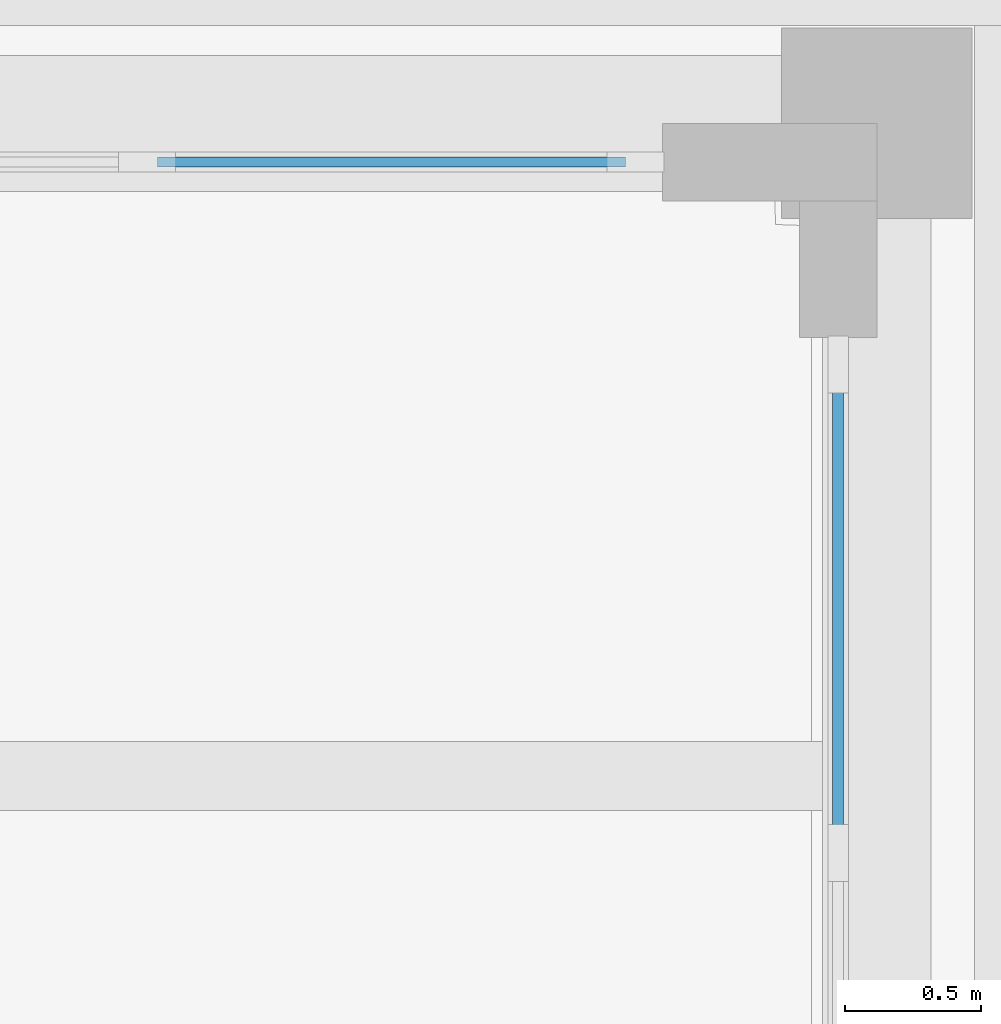
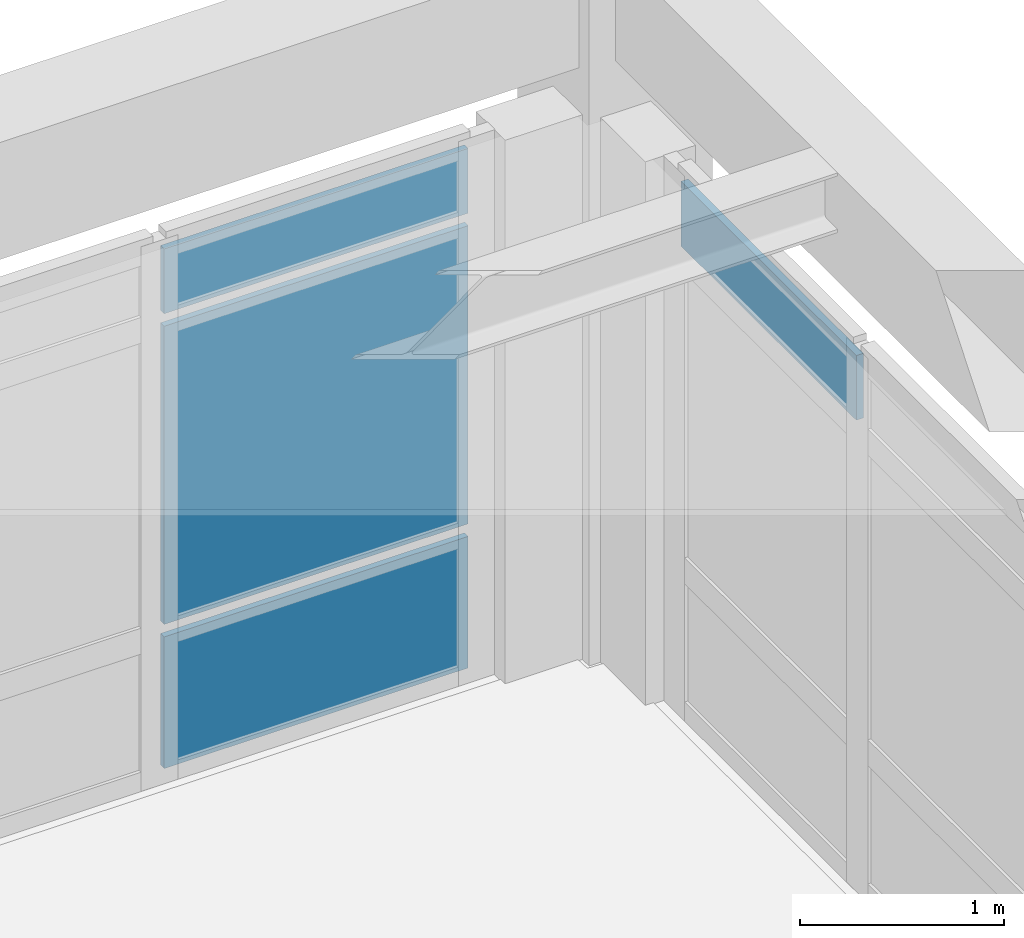
# One storey, part 45 of 64: 4 plates, 2 elements without a shape of their own.
"""IFC4 building model written with IfcOpenShell, lengths in metres."""

from ifc_helpers import new_model, si_unit, direction, frame, origin, origin_2d, place, context, subcontext, project, spatial, rectangle, extrude, material, layer, layer_set, type_object, element, aggregate, save


model = new_model("IFC4")

# Units and contexts
model_context = context("Model", 3, precision=1e-05, world=origin(), true_north=direction((0.0, 1.0)))
body_context = subcontext(model_context, "Body", "Model", "MODEL_VIEW")
ifc_project = project(units=[si_unit("LENGTHUNIT", "METRE"), si_unit("AREAUNIT", "SQUARE_METRE"), si_unit("VOLUMEUNIT", "CUBIC_METRE"), si_unit("PLANEANGLEUNIT", "RADIAN"), si_unit("MASSUNIT", "GRAM", prefix="KILO")], contexts=[model_context])

# Site, building, storey
site_placement = place(None, origin())
site = spatial("IfcSite", under=ifc_project, at=site_placement, CompositionType="ELEMENT")
building_placement = place(site_placement, origin())
building = spatial("IfcBuilding", under=site, at=building_placement, Name="Solenvale Faculty of Natural Sciences", CompositionType="ELEMENT")
storey_placement = place(building_placement, frame((0.0, 0.0, 18.0)))
storey = spatial("IfcBuildingStorey", under=building, at=storey_placement, Name="L04", CompositionType="ELEMENT", Elevation=18.0)

# Curtain wall, plates
ifc_material_1 = material(Name="Anodised bronze aluminium", Category="aluminium")
ifc_layer_1 = layer(ifc_material_1, 0.179931640625)
ifc_layer_set_1 = layer_set([ifc_layer_1], Name="Anodised bronze aluminium")
curtain_wall_type = type_object("IfcCurtainWallType", Name="CW-TWR-MOD", PredefinedType="USERDEFINED", material=ifc_layer_set_1)
curtain_wall_1_placement = place(storey_placement, origin())
curtain_wall_1 = element("IfcCurtainWall", 1, at=curtain_wall_1_placement, inside=storey, type_object=curtain_wall_type, Name="L04 Curtain Wall CW-L04-P3-E4-B1", ObjectType="UNITISED CURTAIN WALL", PredefinedType="USERDEFINED")
ifc_material_2 = material(Name="Triple low-E insulated glass", Category="glass")
ifc_layer_2 = layer(ifc_material_2, 0.035888671875)
ifc_layer_set_2 = layer_set([ifc_layer_2], Name="Triple low-E insulated glass")
plate_type_1 = type_object("IfcPlateType", Name="CWP-PNL-36", PredefinedType="CURTAIN_PANEL", material=ifc_layer_set_2)
plate_1_placement = place(storey_placement, frame((149.41455078125, 115.0576171875, 0.074951171875), z_axis=(0.0, 0.0, 1.0), x_axis=(-1.0, 0.0, 0.0)))
plate_1 = element("IfcPlate", 2, at=plate_1_placement, type_object=plate_type_1, Name="CW-04 panel 1.1", PredefinedType="CURTAIN_PANEL", context=body_context, shape_type="SweptSolid", body=[
    extrude(rectangle(XDim=1.720947265625, YDim=0.035888671875, at=origin_2d()), origin(), (0.0, 0.0, 1.0), 0.78759765625),
])
plate_2_placement = place(storey_placement, frame((149.41455078125, 115.0576171875, 0.9375), z_axis=(0.0, 0.0, 1.0), x_axis=(-1.0, 0.0, 0.0)))
plate_2 = element("IfcPlate", 3, at=plate_2_placement, type_object=plate_type_1, Name="CW-04 panel 1.2", PredefinedType="CURTAIN_PANEL", context=body_context, shape_type="SweptSolid", body=[
    extrude(rectangle(XDim=1.720947265625, YDim=0.035888671875, at=origin_2d()), origin(), (0.0, 0.0, 1.0), 1.784912109375),
])
plate_3_placement = place(storey_placement, frame((149.41455078125, 115.0576171875, 2.79736328125), z_axis=(0.0, 0.0, 1.0), x_axis=(-1.0, 0.0, 0.0)))
plate_3 = element("IfcPlate", 4, at=plate_3_placement, type_object=plate_type_1, Name="CW-04 panel 1.3", PredefinedType="CURTAIN_PANEL", context=body_context, shape_type="SweptSolid", body=[
    extrude(rectangle(XDim=1.720947265625, YDim=0.035888671875, at=origin_2d()), origin(), (0.0, 0.0, 1.0), 0.387451171875),
])
aggregate(curtain_wall_1, [plate_1, plate_2, plate_3])

# Curtain wall, plate
curtain_wall_2_placement = place(storey_placement, origin())
curtain_wall_2 = element("IfcCurtainWall", 5, at=curtain_wall_2_placement, inside=storey, type_object=curtain_wall_type, Name="L04 Curtain Wall CW-L04-P3-E3-B3", ObjectType="UNITISED CURTAIN WALL", PredefinedType="USERDEFINED")
ifc_layer_3 = layer(ifc_material_2, 0.0400390625)
ifc_layer_set_3 = layer_set([ifc_layer_3], Name="Triple low-E insulated glass")
plate_type_2 = type_object("IfcPlateType", Name="CWP-PNL-40", PredefinedType="CURTAIN_PANEL", material=ifc_layer_set_3)
plate_4_placement = place(storey_placement, frame((151.0576171875, 113.41455078125, 2.79736328125), z_axis=(0.0, 0.0, 1.0), x_axis=(0.0, 1.0, 0.0)))
plate_4 = element("IfcPlate", 6, at=plate_4_placement, type_object=plate_type_2, Name="CW-04 panel 3.3", PredefinedType="CURTAIN_PANEL", context=body_context, shape_type="SweptSolid", body=[
    extrude(rectangle(XDim=1.720947265625, YDim=0.0400390625, at=origin_2d()), origin(), (0.0, 0.0, 1.0), 0.387451171875),
])
aggregate(curtain_wall_2, [plate_4])

save(model, "model.ifc")
